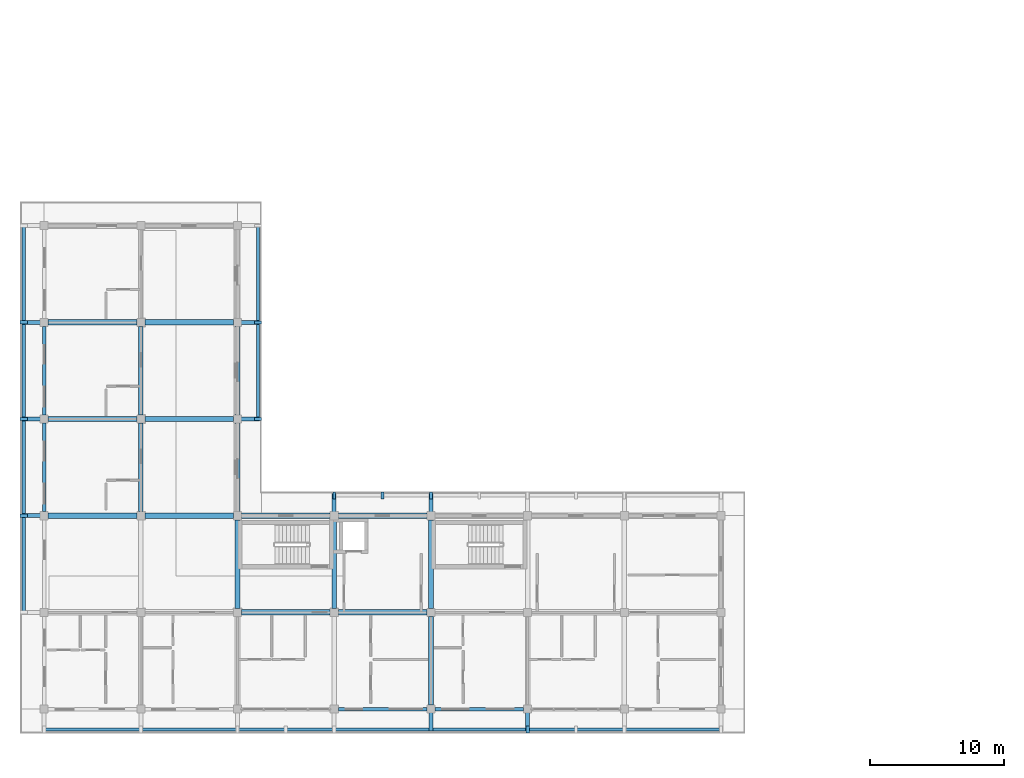
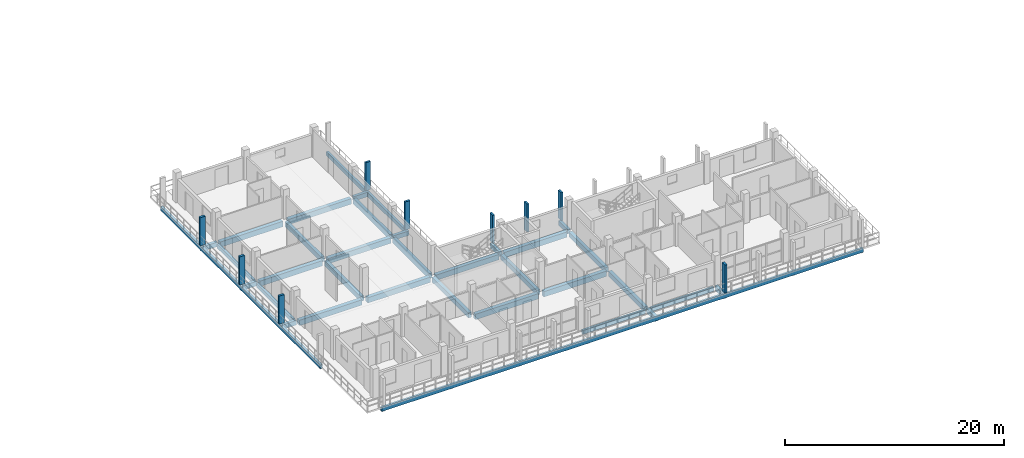
# One storey, part 5 of 75: 34 beams, 9 members.
"""IFC4 building model written with IfcOpenShell, lengths in metres."""

from ifc_helpers import new_model, si_unit, direction, frame, origin, origin_2d, place, context, subcontext, project, spatial, rectangle, extrude, material, material_profile, profile_set, type_object, element, save


model = new_model("IFC4")

# Units and contexts
model_context = context("Model", 3, precision=1e-05, world=origin(), true_north=direction((0.0, 1.0)))
body_context = subcontext(model_context, "Body", "Model", "MODEL_VIEW")
ifc_project = project(units=[si_unit("LENGTHUNIT", "METRE"), si_unit("AREAUNIT", "SQUARE_METRE"), si_unit("VOLUMEUNIT", "CUBIC_METRE"), si_unit("PLANEANGLEUNIT", "RADIAN"), si_unit("MASSUNIT", "GRAM", prefix="KILO")], contexts=[model_context])

# Site, building, storey
site_placement = place(None, origin())
site = spatial("IfcSite", under=ifc_project, at=site_placement, CompositionType="ELEMENT")
building_placement = place(site_placement, origin())
building = spatial("IfcBuilding", under=site, at=building_placement, Name="Suanplinth Sawtooth Commons", CompositionType="ELEMENT")
storey_placement = place(building_placement, frame((0.0, 0.0, 18.60009765625)))
storey = spatial("IfcBuildingStorey", under=building, at=storey_placement, Name="L05", CompositionType="ELEMENT", Elevation=18.60009765625)

# Beams
ifc_material_1 = material(Name="Precast concrete C40/50", Category="concrete")
ifc_material_profile_1 = material_profile(ifc_material_1, rectangle(XDim=0.39990234375, YDim=0.60009765625, at=origin_2d()), Name="PC-GDR 400x600")
ifc_profile_set_1 = profile_set([ifc_material_profile_1], Name="Precast concrete C40/50")
beam_type_1 = type_object("IfcBeamType", Name="B-05", PredefinedType="USERDEFINED", material=ifc_profile_set_1)
for number, where, z_axis, x_axis, name in (
    (1, (0.300048828125, 14.39990234375, -0.550048828125), (1.0, 0.0, 0.0), (0.0, 1.0, 0.0), "BMX-L05-D-0-2"),
    (2, (0.300048828125, 21.60009765625, -0.550048828125), (1.0, 0.0, 0.0), (0.0, 1.0, 0.0), "BMX-L05-D-0-3"),
    (3, (0.300048828125, 28.800048828125, -0.550048828125), (1.0, 0.0, 0.0), (0.0, 1.0, 0.0), "BMX-L05-D-0-4"),
):
    element("IfcBeam", number, at=place(storey_placement, frame(where, z_axis=z_axis, x_axis=x_axis)), inside=storey, type_object=beam_type_1, Name=name, ObjectType="GIRDER", PredefinedType="USERDEFINED", context=body_context, shape_type="SweptSolid", body=[
        extrude(rectangle(XDim=0.39990234375, YDim=0.60009765625, at=origin_2d()), origin(), (0.0, 0.0, 1.0), 6.599853515625),
    ])
for number, where, z_axis, x_axis, name in (
    (4, (7.5, 14.39990234375, -0.550048828125), (1.0, 0.0, 0.0), (0.0, 1.0, 0.0), "BMX-L05-D-1-2"),
    (5, (7.5, 21.60009765625, -0.550048828125), (1.0, 0.0, 0.0), (0.0, 1.0, 0.0), "BMX-L05-D-1-3"),
    (6, (7.5, 28.800048828125, -0.550048828125), (1.0, 0.0, 0.0), (0.0, 1.0, 0.0), "BMX-L05-D-1-4"),
    (7, (14.699951171875, 7.199951171875, -0.550048828125), (1.0, 0.0, 0.0), (0.0, 1.0, 0.0), "BMX-L05-D-2-1"),
    (8, (14.699951171875, 14.39990234375, -0.550048828125), (1.0, 0.0, 0.0), (0.0, 1.0, 0.0), "BMX-L05-D-2-2"),
    (9, (21.89990234375, 7.199951171875, -0.550048828125), (1.0, 0.0, 0.0), (0.0, 1.0, 0.0), "BMX-L05-D-3-1"),
    (10, (21.89990234375, 14.39990234375, -0.550048828125), (1.0, 0.0, 0.0), (0.0, 1.0, 0.0), "BMX-L05-D-3-2"),
):
    element("IfcBeam", number, at=place(storey_placement, frame(where, z_axis=z_axis, x_axis=x_axis)), inside=storey, type_object=beam_type_1, Name=name, ObjectType="GIRDER", PredefinedType="USERDEFINED", context=body_context, shape_type="SweptSolid", body=[
        extrude(rectangle(XDim=0.39990234375, YDim=0.60009765625, at=origin_2d()), origin(), (0.0, 0.0, 1.0), 6.60009765625),
    ])
ifc_material_profile_2 = material_profile(ifc_material_1, rectangle(XDim=0.35009765625, YDim=0.550048828125, at=origin_2d()), Name="PC-BM 350x550")
ifc_profile_set_2 = profile_set([ifc_material_profile_2], Name="Precast concrete C40/50")
beam_type_2 = type_object("IfcBeamType", Name="B-06", PredefinedType="BEAM", material=ifc_profile_set_2)
for number, where, z_axis, x_axis, name in (
    (11, (7.199951171875, 14.699951171875, -0.525146484375), (0.0, 1.0, 0.0), (-1.0, 0.0, 0.0), "BMY-L05-D-1-2"),
    (12, (7.199951171875, 21.89990234375, -0.525146484375), (0.0, 1.0, 0.0), (-1.0, 0.0, 0.0), "BMY-L05-D-1-3"),
    (13, (14.39990234375, 7.5, -0.525146484375), (0.0, 1.0, 0.0), (-1.0, 0.0, 0.0), "BMY-L05-D-2-1"),
    (14, (14.39990234375, 14.699951171875, -0.525146484375), (0.0, 1.0, 0.0), (-1.0, 0.0, 0.0), "BMY-L05-D-2-2"),
    (15, (14.39990234375, 21.89990234375, -0.525146484375), (0.0, 1.0, 0.0), (-1.0, 0.0, 0.0), "BMY-L05-D-2-3"),
    (16, (21.60009765625, 7.5, -0.525146484375), (0.0, 1.0, 0.0), (-1.0, 0.0, 0.0), "BMY-L05-D-3-1"),
):
    element("IfcBeam", number, at=place(storey_placement, frame(where, z_axis=z_axis, x_axis=x_axis)), inside=storey, type_object=beam_type_2, Name=name, PredefinedType="BEAM", context=body_context, shape_type="SweptSolid", body=[
        extrude(rectangle(XDim=0.35009765625, YDim=0.550048828125, at=origin_2d()), origin(), (0.0, 0.0, 1.0), 6.60009765625),
    ])
beam_1_placement = place(storey_placement, frame((28.800048828125, 0.300048828125, -0.525146484375), z_axis=(0.0, 1.0, 0.0), x_axis=(-1.0, 0.0, 0.0)))
element("IfcBeam", 17, at=beam_1_placement, inside=storey, type_object=beam_type_2, Name="BMY-L05-D-4-0", PredefinedType="BEAM", context=body_context, shape_type="SweptSolid", body=[
    extrude(rectangle(XDim=0.35009765625, YDim=0.550048828125, at=origin_2d()), origin(), (0.0, 0.0, 1.0), 6.599853515625),
])
beam_2_placement = place(storey_placement, frame((28.800048828125, 7.5, -0.525146484375), z_axis=(0.0, 1.0, 0.0), x_axis=(-1.0, 0.0, 0.0)))
element("IfcBeam", 18, at=beam_2_placement, inside=storey, type_object=beam_type_2, Name="BMY-L05-D-4-1", PredefinedType="BEAM", context=body_context, shape_type="SweptSolid", body=[
    extrude(rectangle(XDim=0.35009765625, YDim=0.550048828125, at=origin_2d()), origin(), (0.0, 0.0, 1.0), 6.60009765625),
])
ifc_material_profile_3 = material_profile(ifc_material_1, rectangle(XDim=0.300048828125, YDim=0.5, at=origin_2d()), Name="PC-BM 300x500")
ifc_profile_set_3 = profile_set([ifc_material_profile_3], Name="Precast concrete C40/50")
beam_type_3 = type_object("IfcBeamType", Name="B-07", PredefinedType="BEAM", material=ifc_profile_set_3)
for number, where, z_axis, x_axis, name in (
    (19, (28.800048828125, 0.0, -0.43017578125), (0.0, -1.0, 0.0), (1.0, 0.0, 0.0), "Balcony Outrigger L05-D-S-4"),
    (20, (36.0, 0.0, -0.43017578125), (0.0, -1.0, 0.0), (1.0, 0.0, 0.0), "Balcony Outrigger L05-D-S-5"),
    (21, (0.0, 14.39990234375, -0.43017578125), (-1.0, 0.0, 0.0), (0.0, -1.0, 0.0), "Balcony Outrigger L05-D-W-2"),
    (22, (0.0, 21.60009765625, -0.43017578125), (-1.0, 0.0, 0.0), (0.0, -1.0, 0.0), "Balcony Outrigger L05-D-W-3"),
    (23, (0.0, 28.800048828125, -0.43017578125), (-1.0, 0.0, 0.0), (0.0, -1.0, 0.0), "Balcony Outrigger L05-D-W-4"),
):
    element("IfcBeam", number, at=place(storey_placement, frame(where, z_axis=z_axis, x_axis=x_axis)), inside=storey, type_object=beam_type_3, Name=name, PredefinedType="BEAM", context=body_context, shape_type="SweptSolid", body=[
        extrude(rectangle(XDim=0.300048828125, YDim=0.5, at=origin_2d()), origin(), (0.0, 0.0, 1.0), 1.639892578125),
    ])
for number, where, z_axis, x_axis, name in (
    (24, (21.60009765625, 14.39990234375, -0.425048828125), (0.0, 1.0, 0.0), (-1.0, 0.0, 0.0), "Balcony Outrigger L05-D-NC-3"),
    (25, (28.800048828125, 14.39990234375, -0.425048828125), (0.0, 1.0, 0.0), (-1.0, 0.0, 0.0), "Balcony Outrigger L05-D-NC-4"),
    (26, (14.39990234375, 21.60009765625, -0.425048828125), (1.0, 0.0, 0.0), (0.0, 1.0, 0.0), "Balcony Outrigger L05-D-EC-3"),
    (27, (14.39990234375, 28.800048828125, -0.425048828125), (1.0, 0.0, 0.0), (0.0, 1.0, 0.0), "Balcony Outrigger L05-D-EC-4"),
):
    element("IfcBeam", number, at=place(storey_placement, frame(where, z_axis=z_axis, x_axis=x_axis)), inside=storey, type_object=beam_type_3, Name=name, PredefinedType="BEAM", context=body_context, shape_type="SweptSolid", body=[
        extrude(rectangle(XDim=0.300048828125, YDim=0.5, at=origin_2d()), origin(), (0.0, 0.0, 1.0), 1.64013671875),
    ])
ifc_material_profile_4 = material_profile(ifc_material_1, rectangle(XDim=0.25, YDim=0.449951171875, at=origin_2d()), Name="PC-SP 250x450")
ifc_profile_set_4 = profile_set([ifc_material_profile_4], Name="Precast concrete C40/50")
beam_type_4 = type_object("IfcBeamType", Name="B-09", PredefinedType="SPANDREL", material=ifc_profile_set_4)
beam_3_placement = place(storey_placement, frame((21.89990234375, 0.0, -0.47509765625), z_axis=(1.0, 0.0, 0.0), x_axis=(0.0, 1.0, 0.0)))
element("IfcBeam", 28, at=beam_3_placement, inside=storey, type_object=beam_type_4, Name="BMX-L05-D-3-0", PredefinedType="SPANDREL", context=body_context, shape_type="SweptSolid", body=[
    extrude(rectangle(XDim=0.25, YDim=0.449951171875, at=origin_2d()), origin(), (0.0, 0.0, 1.0), 6.60009765625),
])
beam_4_placement = place(storey_placement, frame((29.10009765625, 0.0, -0.47509765625), z_axis=(1.0, 0.0, 0.0), x_axis=(0.0, 1.0, 0.0)))
element("IfcBeam", 29, at=beam_4_placement, inside=storey, type_object=beam_type_4, Name="BMX-L05-D-4-0", PredefinedType="SPANDREL", context=body_context, shape_type="SweptSolid", body=[
    extrude(rectangle(XDim=0.25, YDim=0.449951171875, at=origin_2d()), origin(), (0.0, 0.0, 1.0), 6.599853515625),
])
for number, where, z_axis, x_axis, name in (
    (30, (0.0, 14.699951171875, -0.47509765625), (0.0, 1.0, 0.0), (-1.0, 0.0, 0.0), "BMY-L05-D-0-2"),
    (31, (0.0, 21.89990234375, -0.47509765625), (0.0, 1.0, 0.0), (-1.0, 0.0, 0.0), "BMY-L05-D-0-3"),
):
    element("IfcBeam", number, at=place(storey_placement, frame(where, z_axis=z_axis, x_axis=x_axis)), inside=storey, type_object=beam_type_4, Name=name, PredefinedType="SPANDREL", context=body_context, shape_type="SweptSolid", body=[
        extrude(rectangle(XDim=0.25, YDim=0.449951171875, at=origin_2d()), origin(), (0.0, 0.0, 1.0), 6.60009765625),
    ])
beam_5_placement = place(storey_placement, frame((-0.14990234375, -1.52001953125, -0.405029296875), z_axis=(1.0, 0.0, 0.0), x_axis=(0.0, 1.0, 0.0)))
element("IfcBeam", 32, at=beam_5_placement, inside=storey, type_object=beam_type_4, Name="Balcony Edge Fascia L05-D-S", PredefinedType="SPANDREL", context=body_context, shape_type="SweptSolid", body=[
    extrude(rectangle(XDim=0.25, YDim=0.449951171875, at=origin_2d()), origin(), (0.0, 0.0, 1.0), 50.699951171875),
])
beam_6_placement = place(storey_placement, frame((-1.52001953125, 7.050048828125, -0.405029296875), z_axis=(0.0, 1.0, 0.0), x_axis=(-1.0, 0.0, 0.0)))
element("IfcBeam", 33, at=beam_6_placement, inside=storey, type_object=beam_type_4, Name="Balcony Edge Fascia L05-D-W", PredefinedType="SPANDREL", context=body_context, shape_type="SweptSolid", body=[
    extrude(rectangle(XDim=0.25, YDim=0.449951171875, at=origin_2d()), origin(), (0.0, 0.0, 1.0), 29.099853515625),
])
beam_7_placement = place(storey_placement, frame((15.919921875, 21.449951171875, -0.400146484375), z_axis=(0.0, 1.0, 0.0), x_axis=(-1.0, 0.0, 0.0)))
element("IfcBeam", 34, at=beam_7_placement, inside=storey, type_object=beam_type_4, Name="Balcony Edge Fascia L05-D-EC", PredefinedType="SPANDREL", context=body_context, shape_type="SweptSolid", body=[
    extrude(rectangle(XDim=0.25, YDim=0.449951171875, at=origin_2d()), origin(), (0.0, 0.0, 1.0), 14.699951171875),
])

# Members
ifc_material_2 = material(Name="Pigmented precast concrete C40/50", Category="concrete")
ifc_material_profile_5 = material_profile(ifc_material_2, rectangle(XDim=0.25, YDim=0.5400390625, at=origin_2d()), Name="PC-FIN 250x540")
ifc_profile_set_5 = profile_set([ifc_material_profile_5], Name="Pigmented precast concrete C40/50")
member_type_1 = type_object("IfcMemberType", Name="M-11", PredefinedType="USERDEFINED", material=ifc_profile_set_5)
for number, where, z_axis, x_axis, name in (
    (35, (36.0, -1.52001953125, 0.0), (0.0, 0.0, 1.0), (1.0, 0.0, 0.0), "Upright Solar Blade L05-D-S-06"),
    (36, (-1.52001953125, 14.39990234375, 0.0), (0.0, 0.0, 1.0), (0.0, 1.0, 0.0), "Upright Solar Blade L05-D-W-11"),
    (37, (-1.52001953125, 21.60009765625, 0.0), (0.0, 0.0, 1.0), (0.0, 1.0, 0.0), "Upright Solar Blade L05-D-W-12"),
    (38, (-1.52001953125, 28.800048828125, 0.0), (0.0, 0.0, 1.0), (0.0, 1.0, 0.0), "Upright Solar Blade L05-D-W-13"),
):
    element("IfcMember", number, at=place(storey_placement, frame(where, z_axis=z_axis, x_axis=x_axis)), inside=storey, type_object=member_type_1, Name=name, ObjectType="SHADING FIN", PredefinedType="USERDEFINED", context=body_context, shape_type="SweptSolid", body=[
        extrude(rectangle(XDim=0.25, YDim=0.5400390625, at=origin_2d()), origin(), (0.0, 0.0, 1.0), 3.1298828125),
    ])
ifc_material_profile_6 = material_profile(ifc_material_2, rectangle(XDim=0.2099609375, YDim=0.52001953125, at=origin_2d()), Name="PC-FIN 210x520")
ifc_profile_set_6 = profile_set([ifc_material_profile_6], Name="Pigmented precast concrete C40/50")
member_type_2 = type_object("IfcMemberType", Name="M-12", PredefinedType="USERDEFINED", material=ifc_profile_set_6)
for number, where, z_axis, x_axis, name in (
    (39, (21.60009765625, 15.919921875, 0.0), (0.0, 0.0, 1.0), (1.0, 0.0, 0.0), "Upright Solar Blade L05-D-NC-15"),
    (40, (25.199951171875, 15.919921875, 0.0), (0.0, 0.0, 1.0), (1.0, 0.0, 0.0), "Upright Solar Blade L05-D-NC-16"),
    (41, (28.800048828125, 15.919921875, 0.0), (0.0, 0.0, 1.0), (1.0, 0.0, 0.0), "Upright Solar Blade L05-D-NC-17"),
    (42, (15.919921875, 21.60009765625, 0.0), (0.0, 0.0, 1.0), (0.0, 1.0, 0.0), "Upright Solar Blade L05-D-EC-23"),
    (43, (15.919921875, 28.800048828125, 0.0), (0.0, 0.0, 1.0), (0.0, 1.0, 0.0), "Upright Solar Blade L05-D-EC-24"),
):
    element("IfcMember", number, at=place(storey_placement, frame(where, z_axis=z_axis, x_axis=x_axis)), inside=storey, type_object=member_type_2, Name=name, ObjectType="SHADING FIN", PredefinedType="USERDEFINED", context=body_context, shape_type="SweptSolid", body=[
        extrude(rectangle(XDim=0.2099609375, YDim=0.52001953125, at=origin_2d()), origin(), (0.0, 0.0, 1.0), 3.1298828125),
    ])

save(model, "model.ifc")
